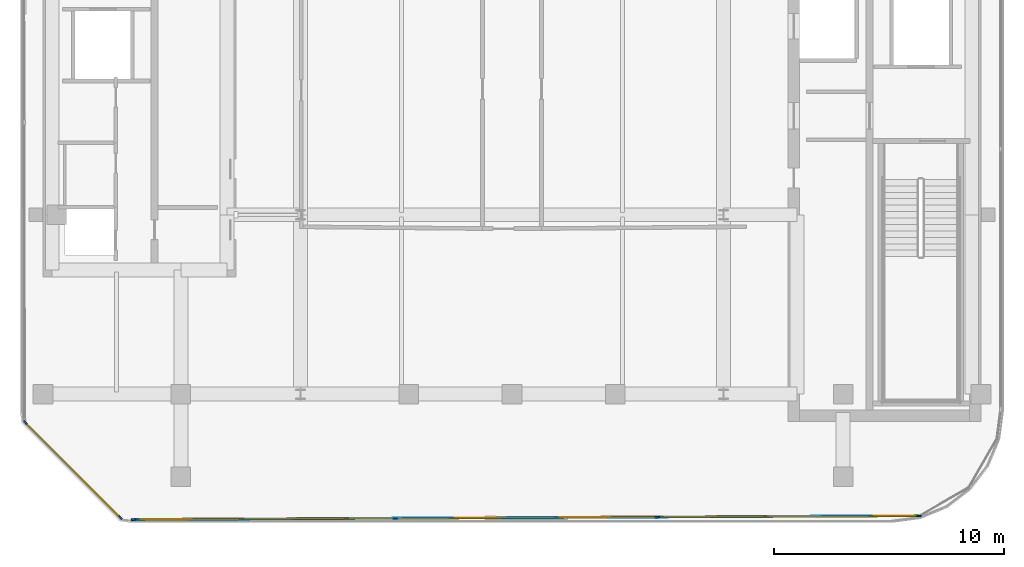
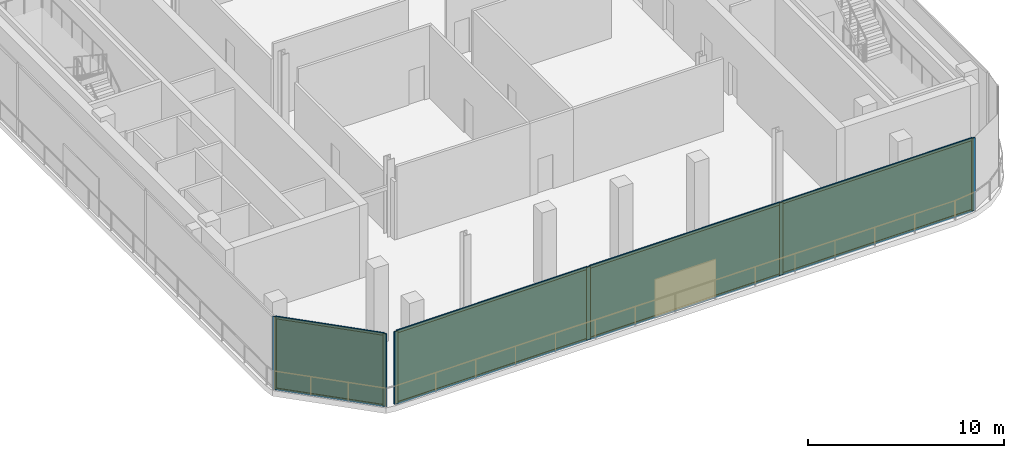
# One storey, part 5 of 13: 14 members, 4 plates, 2 curtain walls.
"""IFC4 building model written with IfcOpenShell, lengths in metres."""

from ifc_helpers import new_model, si_unit, direction, frame, frame_2d, origin, origin_2d, place, context, subcontext, project, spatial, rectangle, extrude, material, layer, layer_set, material_profile, profile_set, type_object, element, aggregate, save


model = new_model("IFC4")

# Units and contexts
model_context = context("Model", 3, precision=1e-05, world=origin(), true_north=direction((0.0, 1.0)))
body_context = subcontext(model_context, "Body", "Model", "MODEL_VIEW")
ifc_project = project(units=[si_unit("LENGTHUNIT", "METRE"), si_unit("AREAUNIT", "SQUARE_METRE"), si_unit("VOLUMEUNIT", "CUBIC_METRE"), si_unit("PLANEANGLEUNIT", "RADIAN"), si_unit("MASSUNIT", "GRAM", prefix="KILO")], contexts=[model_context])

# Member
ifc_material_1 = material(Name="Anodised Bronze Aluminium 6063-T6", Category="aluminium")
ifc_material_profile_1 = material_profile(ifc_material_1, rectangle(XDim=0.074951171875, YDim=0.2099609375, at=origin_2d()))
ifc_profile_set_1 = profile_set([ifc_material_profile_1], Name="Anodised Bronze Aluminium 6063-T6")
member_type_1 = type_object("IfcMemberType", Name="CW-CRN Mullion 75x210", PredefinedType="MULLION", material=ifc_profile_set_1)
site_placement = place(None, origin())
building_placement = place(site_placement, origin())
storey_placement = place(building_placement, frame((0.0, 0.0, 272.800048828125)))
member_1_placement = place(storey_placement, frame((17.694091796875, -23.896728515625, 0.0), z_axis=(0.0, 0.0, 1.0), x_axis=(0.004774582141, -0.999988601618, 0.0)))
member_1 = element("IfcMember", 1, at=member_1_placement, type_object=member_type_1, Name="CW-CRN mullion 1", PredefinedType="MULLION", context=body_context, shape_type="SweptSolid", body=[
    extrude(rectangle(XDim=0.074951171875, YDim=0.2099609375, at=origin_2d()), origin(), (0.0, 0.0, 1.0), 4.5400390625),
])

member_2_placement = place(storey_placement, frame((6.32421875, -23.951171875, 0.0), z_axis=(0.0, 0.0, 1.0), x_axis=(0.004774582141, -0.999988601618, 0.0)))
member_2 = element("IfcMember", 2, at=member_2_placement, type_object=member_type_1, Name="CW-CRN mullion 2", PredefinedType="MULLION", context=body_context, shape_type="SweptSolid", body=[
    extrude(rectangle(XDim=0.074951171875, YDim=0.2099609375, at=origin_2d()), origin(), (0.0, 0.0, 1.0), 4.5400390625),
])

member_3_placement = place(storey_placement, frame((-5.083251953125, -24.005615234375, 0.0), z_axis=(0.0, 0.0, 1.0), x_axis=(0.004774582141, -0.999988601618, 0.0)))
member_3 = element("IfcMember", 3, at=member_3_placement, type_object=member_type_1, Name="CW-CRN mullion 3", PredefinedType="MULLION", context=body_context, shape_type="SweptSolid", body=[
    extrude(rectangle(XDim=0.074951171875, YDim=0.2099609375, at=origin_2d()), origin(), (0.0, 0.0, 1.0), 4.5400390625),
])

member_4_placement = place(storey_placement, frame((-16.453369140625, -24.059814453125, 0.0), z_axis=(0.0, 0.0, 1.0), x_axis=(0.004774582141, -0.999988601618, 0.0)))
member_4 = element("IfcMember", 4, at=member_4_placement, type_object=member_type_1, Name="CW-CRN mullion 4", PredefinedType="MULLION", context=body_context, shape_type="SweptSolid", body=[
    extrude(rectangle(XDim=0.074951171875, YDim=0.2099609375, at=origin_2d()), origin(), (0.0, 0.0, 1.0), 4.5400390625),
])

ifc_material_2 = material(Name="Anodised Bronze Aluminium 6063-T6", Category="aluminium")
ifc_material_profile_2 = material_profile(ifc_material_2, rectangle(XDim=0.074951171875, YDim=0.1650390625, at=origin_2d()))
ifc_profile_set_2 = profile_set([ifc_material_profile_2], Name="Anodised Bronze Aluminium 6063-T6")
member_type_2 = type_object("IfcMemberType", Name="CW-CRN Transom 75x165", PredefinedType="USERDEFINED", material=ifc_profile_set_2)
member_5_placement = place(storey_placement, frame((17.65673828125, -23.89697265625, 0.037353515625), z_axis=(-0.999988590654, -0.004776877886, 0.0), x_axis=(0.004776877886, -0.999988590654, 0.0)))
member_5 = element("IfcMember", 5, at=member_5_placement, type_object=member_type_2, Name="CW-CRN transom 1.1", ObjectType="TRANSOM", PredefinedType="USERDEFINED", context=body_context, shape_type="SweptSolid", body=[
    extrude(rectangle(XDim=0.074951171875, YDim=0.1650390625, at=origin_2d()), origin(), (0.0, 0.0, 1.0), 11.295166015625),
])

member_6_placement = place(storey_placement, frame((17.65673828125, -23.89697265625, 4.50244140625), z_axis=(-0.999988590654, -0.004776877886, 0.0), x_axis=(0.004776877886, -0.999988590654, 0.0)))
member_6 = element("IfcMember", 6, at=member_6_placement, type_object=member_type_2, Name="CW-CRN transom 1.2", ObjectType="TRANSOM", PredefinedType="USERDEFINED", context=body_context, shape_type="SweptSolid", body=[
    extrude(rectangle(XDim=0.074951171875, YDim=0.1650390625, at=origin_2d()), origin(), (0.0, 0.0, 1.0), 11.295166015625),
])

member_7_placement = place(storey_placement, frame((6.28662109375, -23.951171875, 0.037353515625), z_axis=(-0.999988563434, -0.004782572732, 0.0), x_axis=(0.004782572732, -0.999988563434, 0.0)))
member_7 = element("IfcMember", 7, at=member_7_placement, type_object=member_type_2, Name="CW-CRN transom 2.1", ObjectType="TRANSOM", PredefinedType="USERDEFINED", context=body_context, shape_type="SweptSolid", body=[
    extrude(rectangle(XDim=0.074951171875, YDim=0.1650390625, at=origin_2d()), origin(), (0.0, 0.0, 1.0), 11.332763671875),
])

member_8_placement = place(storey_placement, frame((6.28662109375, -23.951171875, 4.50244140625), z_axis=(-0.999988563434, -0.004782572732, 0.0), x_axis=(0.004782572732, -0.999988563434, 0.0)))
member_8 = element("IfcMember", 8, at=member_8_placement, type_object=member_type_2, Name="CW-CRN transom 2.2", ObjectType="TRANSOM", PredefinedType="USERDEFINED", context=body_context, shape_type="SweptSolid", body=[
    extrude(rectangle(XDim=0.074951171875, YDim=0.1650390625, at=origin_2d()), origin(), (0.0, 0.0, 1.0), 11.332763671875),
])

member_9_placement = place(storey_placement, frame((-5.120849609375, -24.005615234375, 0.037353515625), z_axis=(-0.999988590654, -0.004776877886, 0.0), x_axis=(0.004776877886, -0.999988590654, 0.0)))
member_9 = element("IfcMember", 9, at=member_9_placement, type_object=member_type_2, Name="CW-CRN transom 3.1", ObjectType="TRANSOM", PredefinedType="USERDEFINED", context=body_context, shape_type="SweptSolid", body=[
    extrude(rectangle(XDim=0.074951171875, YDim=0.1650390625, at=origin_2d()), origin(), (0.0, 0.0, 1.0), 11.295166015625),
])

member_10_placement = place(storey_placement, frame((-5.120849609375, -24.005615234375, 4.50244140625), z_axis=(-0.999988590654, -0.004776877886, 0.0), x_axis=(0.004776877886, -0.999988590654, 0.0)))
member_10 = element("IfcMember", 10, at=member_10_placement, type_object=member_type_2, Name="CW-CRN transom 3.2", ObjectType="TRANSOM", PredefinedType="USERDEFINED", context=body_context, shape_type="SweptSolid", body=[
    extrude(rectangle(XDim=0.074951171875, YDim=0.1650390625, at=origin_2d()), origin(), (0.0, 0.0, 1.0), 11.295166015625),
])

ifc_material_3 = material(Name="Anodised Bronze Aluminium 6063-T6", Category="aluminium")
ifc_material_profile_3 = material_profile(ifc_material_3, rectangle(XDim=0.070068359375, YDim=0.18994140625, at=origin_2d()))
ifc_profile_set_3 = profile_set([ifc_material_profile_3], Name="Anodised Bronze Aluminium 6063-T6")
member_type_3 = type_object("IfcMemberType", Name="CW-SLC Mullion 70x190", PredefinedType="MULLION", material=ifc_profile_set_3)
member_11_placement = place(storey_placement, frame((-17.03515625, -23.966796875, 0.0), z_axis=(0.0, 0.0, 1.0), x_axis=(-0.707106781187, -0.707106781187, 0.0)))
member_11 = element("IfcMember", 11, at=member_11_placement, type_object=member_type_3, Name="CW-SLC mullion 1", PredefinedType="MULLION", context=body_context, shape_type="SweptSolid", body=[
    extrude(rectangle(XDim=0.070068359375, YDim=0.18994140625, at=origin_2d()), origin(), (0.0, 0.0, 1.0), 4.5400390625),
])

member_12_placement = place(storey_placement, frame((-21.166748046875, -19.835205078125, 0.0), z_axis=(0.0, 0.0, 1.0), x_axis=(-0.707106781187, -0.707106781187, 0.0)))
member_12 = element("IfcMember", 12, at=member_12_placement, type_object=member_type_3, Name="CW-SLC mullion 2", PredefinedType="MULLION", context=body_context, shape_type="SweptSolid", body=[
    extrude(rectangle(XDim=0.070068359375, YDim=0.18994140625, at=origin_2d()), origin(), (0.0, 0.0, 1.0), 4.5400390625),
])

ifc_material_4 = material(Name="Anodised Bronze Aluminium 6063-T6", Category="aluminium")
ifc_material_profile_4 = material_profile(ifc_material_4, rectangle(XDim=0.070068359375, YDim=0.14990234375, at=origin_2d()))
ifc_profile_set_4 = profile_set([ifc_material_profile_4], Name="Anodised Bronze Aluminium 6063-T6")
member_type_4 = type_object("IfcMemberType", Name="CW-SLC Transom 70x150", PredefinedType="USERDEFINED", material=ifc_profile_set_4)
member_13_placement = place(storey_placement, frame((-17.059814453125, -23.942138671875, 0.034912109375), z_axis=(-0.707106781187, 0.707106781187, 0.0), x_axis=(-0.707106781187, -0.707106781187, 0.0)))
member_13 = element("IfcMember", 13, at=member_13_placement, type_object=member_type_4, Name="CW-SLC transom 1.1", ObjectType="TRANSOM", PredefinedType="USERDEFINED", context=body_context, shape_type="SweptSolid", body=[
    extrude(rectangle(XDim=0.070068359375, YDim=0.14990234375, at=origin_2d()), origin(), (0.0, 0.0, 1.0), 5.773193359375),
])

member_14_placement = place(storey_placement, frame((-17.059814453125, -23.942138671875, 4.5048828125), z_axis=(-0.707106781187, 0.707106781187, 0.0), x_axis=(-0.707106781187, -0.707106781187, 0.0)))
member_14 = element("IfcMember", 14, at=member_14_placement, type_object=member_type_4, Name="CW-SLC transom 1.2", ObjectType="TRANSOM", PredefinedType="USERDEFINED", context=body_context, shape_type="SweptSolid", body=[
    extrude(rectangle(XDim=0.070068359375, YDim=0.14990234375, at=origin_2d()), origin(), (0.0, 0.0, 1.0), 5.773193359375),
])

# Plate
ifc_material_5 = material(Name="Low-E Solar Control Laminated Glass", Category="glass")
ifc_layer_1 = layer(ifc_material_5, 0.035888671875, Name="Low-E Solar Control Laminated Glass")
ifc_layer_set_1 = layer_set([ifc_layer_1], Name="Low-E Solar Control Laminated Glass")
plate_type_1 = type_object("IfcPlateType", Name="CW-CRN Low-E Double Glazed Panel 36mm", PredefinedType="CURTAIN_PANEL", material=ifc_layer_set_1)
plate_1_placement = place(storey_placement, frame((12.00927734375, -23.923828125, 0.0751953125), z_axis=(0.0, 0.0, 1.0), x_axis=(-0.999988601618, -0.004774582141, 0.0)))
plate_1 = element("IfcPlate", 15, at=plate_1_placement, type_object=plate_type_1, Name="CW-CRN panel 1.1", PredefinedType="CURTAIN_PANEL", context=body_context, shape_type="SweptSolid", body=[
    extrude(rectangle(XDim=11.295166015625, YDim=0.035888671875, at=origin_2d()), origin(), (0.0, 0.0, 1.0), 4.389892578125),
])

plate_2_placement = place(storey_placement, frame((0.620361328125, -23.978271484375, 0.0751953125), z_axis=(0.0, 0.0, 1.0), x_axis=(-0.999988601618, -0.004774582141, 0.0)))
plate_2 = element("IfcPlate", 16, at=plate_2_placement, type_object=plate_type_1, Name="CW-CRN panel 2.1", PredefinedType="CURTAIN_PANEL", context=body_context, shape_type="SweptSolid", body=[
    extrude(rectangle(XDim=11.33251953125, YDim=0.035888671875, at=origin_2d()), origin(), (0.0, 0.0, 1.0), 4.389892578125),
])

plate_3_placement = place(storey_placement, frame((-10.768310546875, -24.03271484375, 0.0751953125), z_axis=(0.0, 0.0, 1.0), x_axis=(-0.999988601618, -0.004774582141, 0.0)))
plate_3 = element("IfcPlate", 17, at=plate_3_placement, type_object=plate_type_1, Name="CW-CRN panel 3.1", PredefinedType="CURTAIN_PANEL", context=body_context, shape_type="SweptSolid", body=[
    extrude(rectangle(XDim=11.295166015625, YDim=0.035888671875, at=origin_2d()), origin(), (0.0, 0.0, 1.0), 4.389892578125),
])

ifc_material_6 = material(Name="Low-E Solar Control Laminated Glass", Category="glass")
ifc_layer_2 = layer(ifc_material_6, 0.033935546875, Name="Low-E Solar Control Laminated Glass")
ifc_layer_set_2 = layer_set([ifc_layer_2], Name="Low-E Solar Control Laminated Glass")
plate_type_2 = type_object("IfcPlateType", Name="CW-SLC Low-E Double Glazed Panel 34mm", PredefinedType="CURTAIN_PANEL", material=ifc_layer_set_2)
plate_4_placement = place(storey_placement, frame((-19.10107421875, -21.90087890625, 0.070068359375), z_axis=(0.0, 0.0, 1.0), x_axis=(-0.707106781187, 0.707106781187, 0.0)))
plate_4 = element("IfcPlate", 18, at=plate_4_placement, type_object=plate_type_2, Name="CW-SLC panel 1.1", PredefinedType="CURTAIN_PANEL", context=body_context, shape_type="SweptSolid", body=[
    extrude(rectangle(XDim=5.773193359375, YDim=0.033935546875, at=origin_2d()), origin(), (0.0, 0.0, 1.0), 4.39990234375),
])

# Site, building, storey
site = spatial("IfcSite", under=ifc_project, at=site_placement, CompositionType="ELEMENT")
building = spatial("IfcBuilding", under=site, at=building_placement, Name="Khairoan Windgate Tower", CompositionType="ELEMENT")
storey = spatial("IfcBuildingStorey", under=building, at=storey_placement, Name="L65", CompositionType="ELEMENT", Elevation=272.800048828125)

# Curtain wall
ifc_material_7 = material(Name="Anodised Bronze Aluminium 6063-T6", Category="aluminium")
ifc_layer_3 = layer(ifc_material_7, 0.2099609375, Name="Anodised Bronze Aluminium 6063-T6")
ifc_layer_set_3 = layer_set([ifc_layer_3], Name="Anodised Bronze Aluminium 6063-T6")
curtain_wall_type_1 = type_object("IfcCurtainWallType", Name="Crown Observation and Vitrine Curtain Wall CW-CRN", PredefinedType="NOTDEFINED", material=ifc_layer_set_3)
curtain_wall_1_placement = place(storey_placement, frame((17.731689453125, -23.896484375, 0.0), z_axis=(0.0, 0.0, 1.0), x_axis=(-0.99998857724, -0.004779685013, 0.0)))
curtain_wall_1 = element("IfcCurtainWall", 19, at=curtain_wall_1_placement, inside=storey, type_object=curtain_wall_type_1, Name="L65 Unitised Curtain Wall 1", PredefinedType="NOTDEFINED", context=body_context, shape_type="SweptSolid", body=[
    extrude(rectangle(XDim=34.222900390625, YDim=0.010009765625, at=frame_2d((17.111328125, 0.0))), origin(), (0.0, 0.0, 1.0), 4.5400390625),
])

aggregate(curtain_wall_1, [member_1, member_2, member_3, member_4, member_5, member_6, plate_1, member_7, member_8, plate_2, member_9, member_10, plate_3])

ifc_material_8 = material(Name="Anodised Bronze Aluminium 6063-T6", Category="aluminium")
ifc_layer_4 = layer(ifc_material_8, 0.18994140625, Name="Anodised Bronze Aluminium 6063-T6")
ifc_layer_set_4 = layer_set([ifc_layer_4], Name="Anodised Bronze Aluminium 6063-T6")
curtain_wall_type_2 = type_object("IfcCurtainWallType", Name="Diagonal Corner-Slice Facet Curtain Wall CW-SLC", PredefinedType="NOTDEFINED", material=ifc_layer_set_4)
curtain_wall_2_placement = place(storey_placement, frame((-17.010498046875, -23.99169921875, 0.0), z_axis=(0.0, 0.0, 1.0), x_axis=(-0.70708613724, 0.70712742453, 0.0)))
curtain_wall_2 = element("IfcCurtainWall", 20, at=curtain_wall_2_placement, inside=storey, type_object=curtain_wall_type_2, Name="L65 Crystal Slice Curtain Wall 3", PredefinedType="NOTDEFINED", context=body_context, shape_type="SweptSolid", body=[
    extrude(rectangle(XDim=5.913330078125, YDim=0.010009765625, at=frame_2d((2.95654296875, 0.0))), origin(), (0.0, 0.0, 1.0), 4.5400390625),
])

aggregate(curtain_wall_2, [member_11, member_12, member_13, member_14, plate_4])

save(model, "model.ifc")
